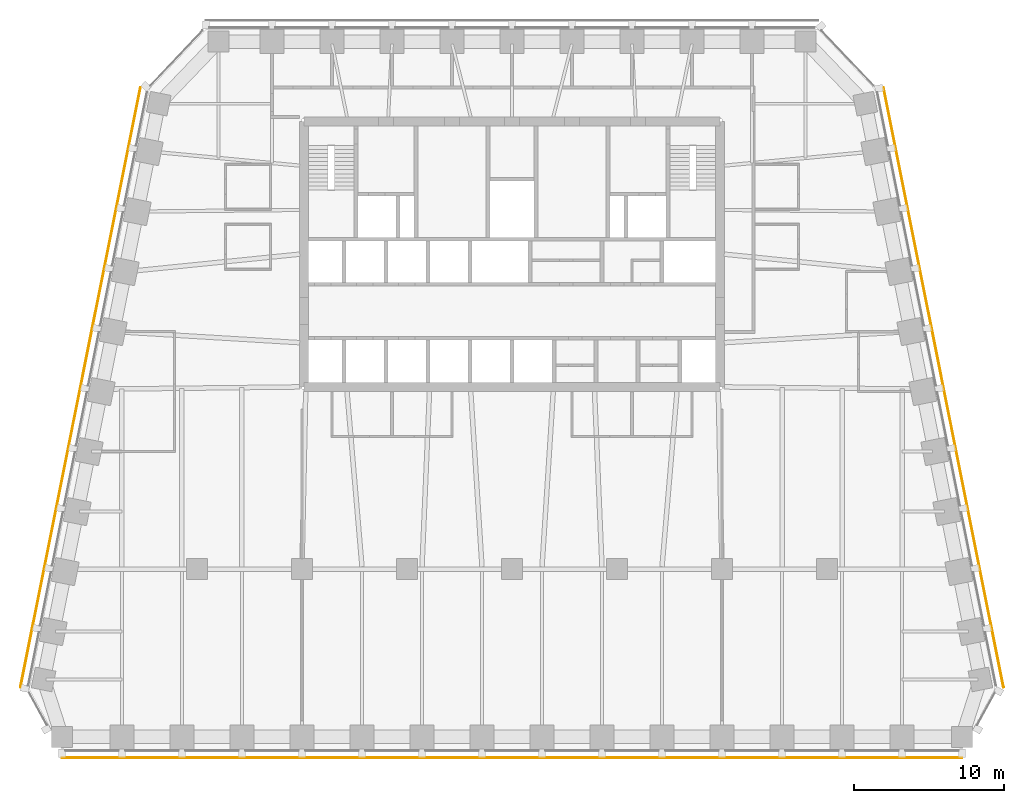
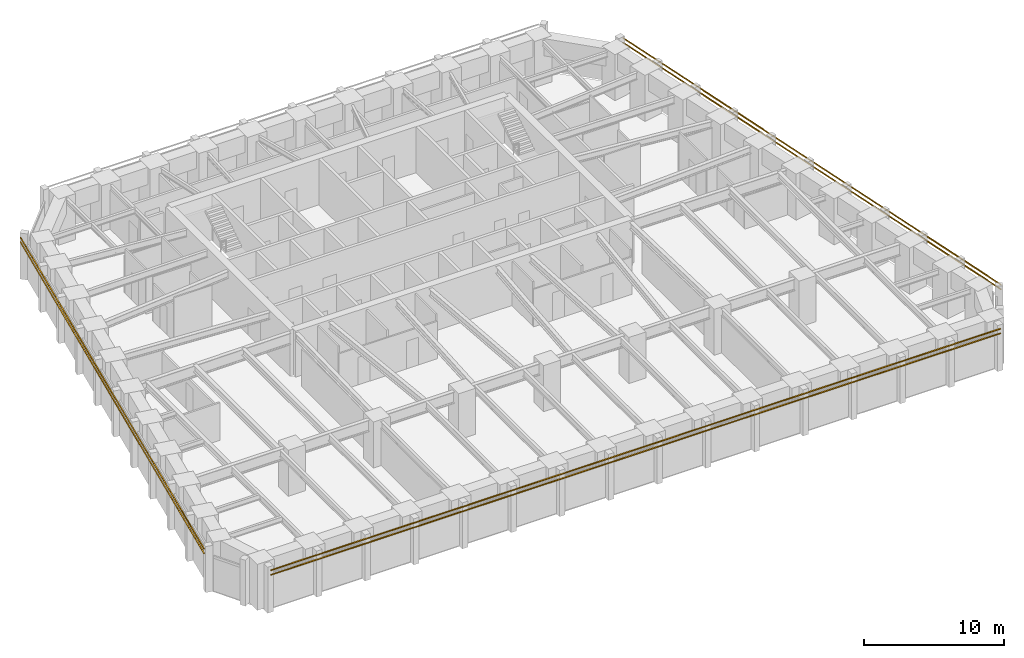
# One storey, part 9 of 10: 6 shading devices.
"""IFC4 building model written with IfcOpenShell, lengths in metres."""

from ifc_helpers import new_model, si_unit, direction, frame, origin, origin_2d, place, context, subcontext, project, spatial, rectangle, extrude, material, material_profile, profile_set, type_object, element, save


model = new_model("IFC4")

# Units and contexts
model_context = context("Model", 3, precision=1e-05, world=origin(), true_north=direction((0.0, 1.0)))
body_context = subcontext(model_context, "Body", "Model", "MODEL_VIEW")
ifc_project = project(units=[si_unit("LENGTHUNIT", "METRE"), si_unit("AREAUNIT", "SQUARE_METRE"), si_unit("VOLUMEUNIT", "CUBIC_METRE"), si_unit("PLANEANGLEUNIT", "RADIAN"), si_unit("MASSUNIT", "GRAM", prefix="KILO")], contexts=[model_context])

# Site, building, storey
site_placement = place(None, origin())
site = spatial("IfcSite", under=ifc_project, at=site_placement, CompositionType="ELEMENT")
building_placement = place(site_placement, origin())
building = spatial("IfcBuilding", under=site, at=building_placement, Name="Isbrekke Arena Tower", CompositionType="ELEMENT")
storey_placement = place(building_placement, frame((0.0, 0.0, 214.0)))
storey = spatial("IfcBuildingStorey", under=building, at=storey_placement, Name="L49", CompositionType="ELEMENT", Elevation=214.0)

# Shading devices
ifc_material = material(Name="Terracotta", Category="masonry")
ifc_material_profile = material_profile(ifc_material, rectangle(XDim=0.06005859375, YDim=0.06005859375, at=origin_2d()), Name="BAGUETTE 60X60")
ifc_profile_set = profile_set([ifc_material_profile], Name="Terracotta")
shading_device_type = type_object("IfcShadingDeviceType", Name="BG1 TERRACOTTA BAGUETTE 60 x 60", PredefinedType="USERDEFINED", material=ifc_profile_set)
for number, where, z_axis, x_axis, name in (
    (1, (-30.0, -18.580078125, 3.280029296875), (1.0, 0.0, 0.0), (0.0, 1.0, 0.0), "BG1 terracotta baguette S1 L49"),
    (2, (-30.0, -18.580078125, 3.679931640625), (1.0, 0.0, 0.0), (0.0, 1.0, 0.0), "BG1 terracotta baguette S2 L49"),
):
    element("IfcShadingDevice", number, at=place(storey_placement, frame(where, z_axis=z_axis, x_axis=x_axis)), inside=storey, type_object=shading_device_type, Name=name, ObjectType="TERRACOTTA BAGUETTE", PredefinedType="USERDEFINED", context=body_context, shape_type="SweptSolid", body=[
        extrude(rectangle(XDim=0.06005859375, YDim=0.06005859375, at=origin_2d()), origin(), (0.0, 0.0, 1.0), 60.0),
    ])
for number, where, z_axis, x_axis, name in (
    (3, (32.768798828125, -13.88623046875, 3.280029296875), (-0.196116135138, 0.980580675691, 0.0), (-0.980580675691, -0.196116135138, 0.0), "BG1 terracotta baguette E1 L49"),
    (4, (32.768798828125, -13.88623046875, 3.679931640625), (-0.196116135138, 0.980580675691, 0.0), (-0.980580675691, -0.196116135138, 0.0), "BG1 terracotta baguette E2 L49"),
    (5, (-24.768798828125, 26.11376953125, 3.280029296875), (-0.196116135138, -0.980580675691, 0.0), (0.980580675691, -0.196116135138, 0.0), "BG1 terracotta baguette W1 L49"),
    (6, (-24.768798828125, 26.11376953125, 3.679931640625), (-0.196116135138, -0.980580675691, 0.0), (0.980580675691, -0.196116135138, 0.0), "BG1 terracotta baguette W2 L49"),
):
    element("IfcShadingDevice", number, at=place(storey_placement, frame(where, z_axis=z_axis, x_axis=x_axis)), inside=storey, type_object=shading_device_type, Name=name, ObjectType="TERRACOTTA BAGUETTE", PredefinedType="USERDEFINED", context=body_context, shape_type="SweptSolid", body=[
        extrude(rectangle(XDim=0.06005859375, YDim=0.06005859375, at=origin_2d()), origin(), (0.0, 0.0, 1.0), 40.792236328125),
    ])

save(model, "model.ifc")
